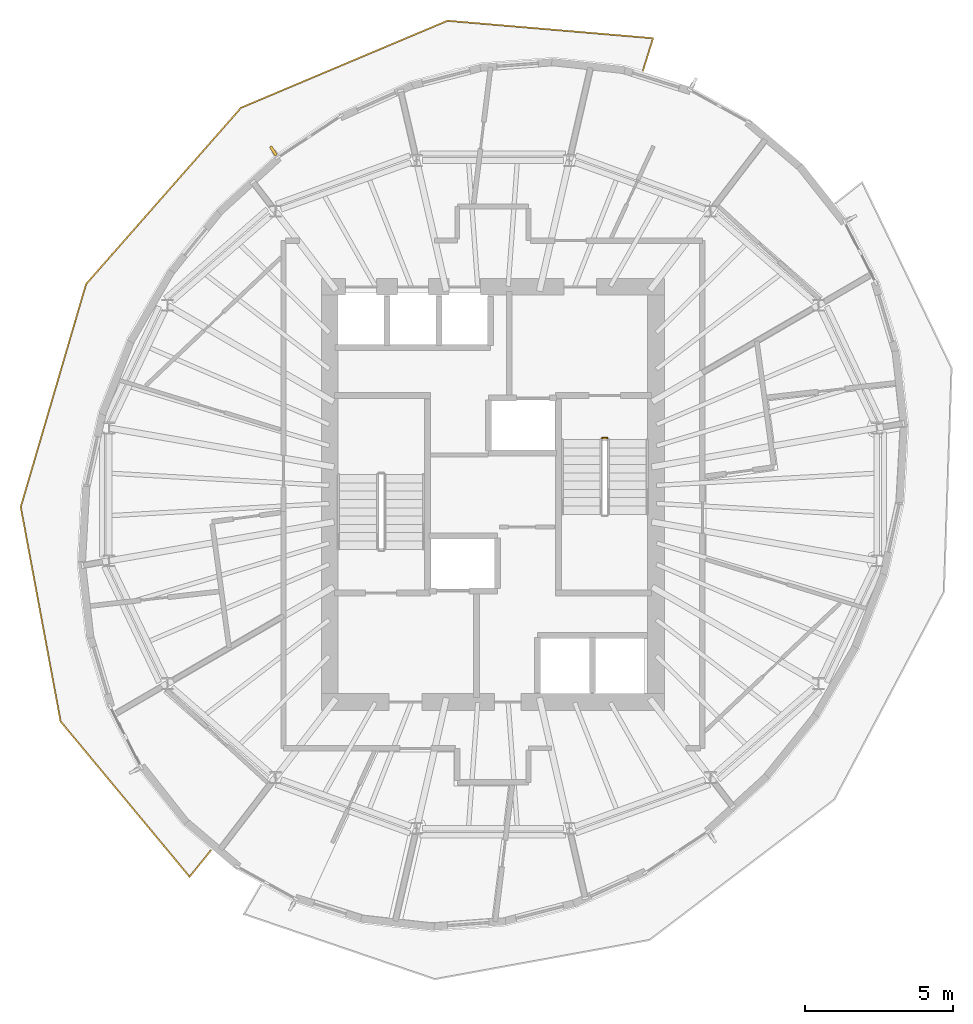
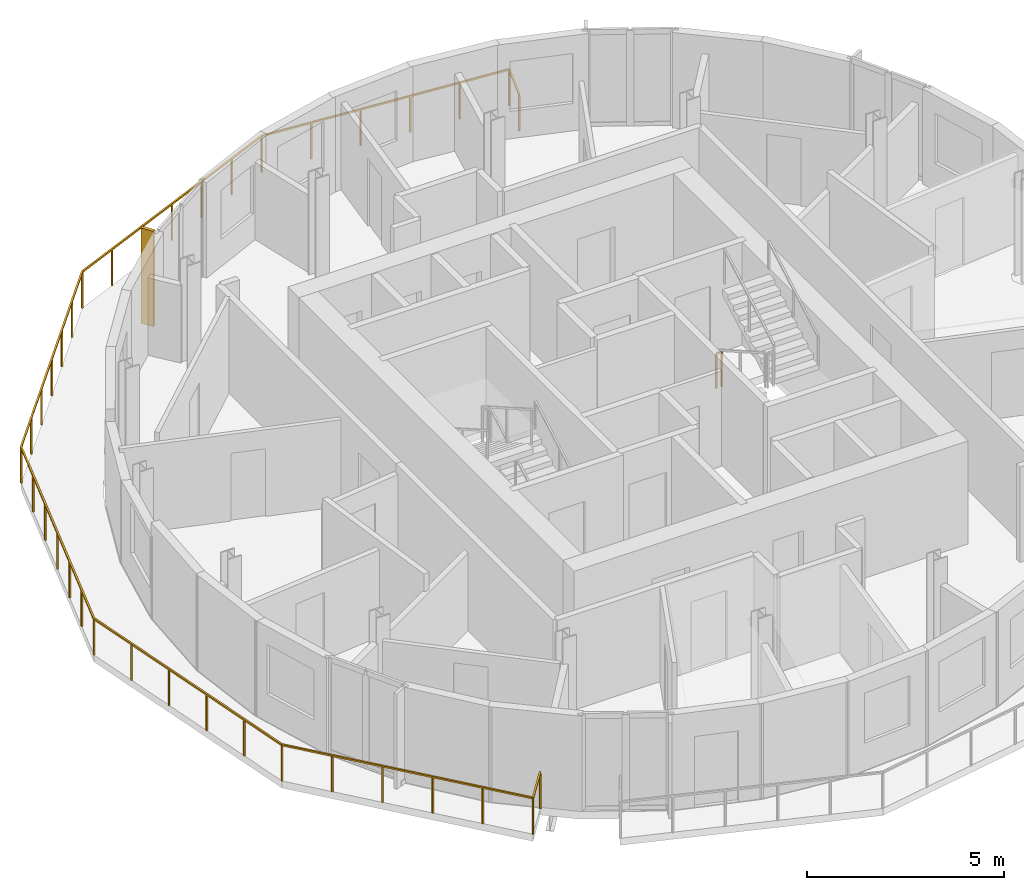
# One storey, part 10 of 11: 2 railings, 1 shading device.
"""IFC4 building model written with IfcOpenShell, lengths in metres."""

from ifc_helpers import new_model, si_unit, direction, frame, origin, origin_2d, place, context, subcontext, project, spatial, rectangle, extrude, material, layer, layer_set, type_object, element, save


model = new_model("IFC4")

# Units and contexts
model_context = context("Model", 3, precision=1e-05, world=origin(), true_north=direction((0.0, 1.0)))
body_context = subcontext(model_context, "Body", "Model", "MODEL_VIEW")
ifc_project = project(units=[si_unit("LENGTHUNIT", "METRE"), si_unit("AREAUNIT", "SQUARE_METRE"), si_unit("VOLUMEUNIT", "CUBIC_METRE"), si_unit("PLANEANGLEUNIT", "RADIAN"), si_unit("MASSUNIT", "GRAM", prefix="KILO")], contexts=[model_context])

# Site, building, storey
site_placement = place(None, origin())
site = spatial("IfcSite", under=ifc_project, at=site_placement, CompositionType="ELEMENT")
building_placement = place(site_placement, origin())
building = spatial("IfcBuilding", under=site, at=building_placement, Name="Veldorim Arch Residences", CompositionType="ELEMENT")
storey_placement = place(building_placement, frame((0.0, 0.0, 227.0400390625)))
storey = spatial("IfcBuildingStorey", under=building, at=storey_placement, Name="L68", CompositionType="ELEMENT", Elevation=227.0400390625)

# Railings
ifc_material_1 = material(Name="Aluminium", Category="aluminium")
railing_type_1 = type_object("IfcRailingType", Name="Balcony & Terrace Laminated Glass Balustrade 1150", PredefinedType="BALUSTRADE", material=ifc_material_1)
railing_1_placement = place(storey_placement, frame((37.05712890625, 38.286865234375, 0.0)))
element("IfcRailing", 1, at=railing_1_placement, inside=storey, type_object=railing_type_1, Name="L68 crescent balcony safety balustrade A", PredefinedType="BALUSTRADE", context=body_context, shape_type="SweptSolid", body=[
    extrude(rectangle(XDim=0.048095703125, YDim=0.048095703125, at=origin_2d()), frame((0.0, 0.0, 1.1259765625), z_axis=(0.298274993136, 0.954479978035, 0.0), x_axis=(-0.954479978035, 0.298274993136, 0.0)), (0.0, 0.0, 1.0), 1.14990234375),
    extrude(rectangle(XDim=0.048095703125, YDim=0.048095703125, at=origin_2d()), frame((0.343017578125, 1.09765625, 1.1259765625), z_axis=(-0.996398511951, 0.084793899432, 0.0), x_axis=(-0.084793899432, -0.996398511951, 0.0)), (0.0, 0.0, 1.0), 6.956298828125),
    extrude(rectangle(XDim=0.048095703125, YDim=0.048095703125, at=origin_2d()), frame((-6.588134765625, 1.6875, 1.1259765625), z_axis=(-0.921610434895, -0.388116227815, 0.0), x_axis=(0.388116227815, -0.921610434895, 0.0)), (0.0, 0.0, 1.0), 7.555419921875),
    extrude(rectangle(XDim=0.048095703125, YDim=0.048095703125, at=origin_2d()), frame((-13.55126953125, -1.244873046875, 1.1259765625), z_axis=(-0.660087723453, -0.751188523173, 0.0), x_axis=(0.751188523173, -0.660087723453, 0.0)), (0.0, 0.0, 1.0), 7.919189453125),
    extrude(rectangle(XDim=0.048095703125, YDim=0.048095703125, at=origin_2d()), frame((-18.778564453125, -7.193603515625, 1.1259765625), z_axis=(-0.281281819309, -0.959625207113, 0.0), x_axis=(0.959625207113, -0.281281819309, 0.0)), (0.0, 0.0, 1.0), 7.83154296875),
    extrude(rectangle(XDim=0.048095703125, YDim=0.048095703125, at=origin_2d()), frame((-20.9814453125, -14.708984375, 1.1259765625), z_axis=(0.18281765772, -0.983146837469, 0.0), x_axis=(0.983146837469, 0.18281765772, 0.0)), (0.0, 0.0, 1.0), 7.35693359375),
    extrude(rectangle(XDim=0.048095703125, YDim=0.048095703125, at=origin_2d()), frame((-19.636474609375, -21.94189453125, 1.1259765625), z_axis=(0.638793821761, -0.769377965164, 0.0), x_axis=(0.769377965164, 0.638793821761, 0.0)), (0.0, 0.0, 1.0), 6.80908203125),
    extrude(rectangle(XDim=0.048095703125, YDim=0.048095703125, at=origin_2d()), frame((-15.286865234375, -27.1806640625, 1.1259765625), z_axis=(0.62877677266, 0.777585860316, 0.0), x_axis=(-0.777585860316, 0.62877677266, 0.0)), (0.0, 0.0, 1.0), 1.150146484375),
    extrude(rectangle(XDim=0.0419921875, YDim=0.0419921875, at=origin_2d()), origin(), (0.0, 0.0, 1.0), 1.101806640625),
    extrude(rectangle(XDim=0.0419921875, YDim=0.0419921875, at=origin_2d()), frame((0.343017578125, 1.09765625, 0.0)), (0.0, 0.0, 1.0), 1.101806640625),
    extrude(rectangle(XDim=0.0419921875, YDim=0.0419921875, at=origin_2d()), frame((-1.043212890625, 1.215576171875, 0.0)), (0.0, 0.0, 1.0), 1.101806640625),
    extrude(rectangle(XDim=0.0419921875, YDim=0.0419921875, at=origin_2d()), frame((-2.429443359375, 1.33349609375, 0.0)), (0.0, 0.0, 1.0), 1.101806640625),
    extrude(rectangle(XDim=0.0419921875, YDim=0.0419921875, at=origin_2d()), frame((-3.815673828125, 1.45166015625, 0.0)), (0.0, 0.0, 1.0), 1.101806640625),
    extrude(rectangle(XDim=0.0419921875, YDim=0.0419921875, at=origin_2d()), frame((-5.201904296875, 1.569580078125, 0.0)), (0.0, 0.0, 1.0), 1.101806640625),
    extrude(rectangle(XDim=0.0419921875, YDim=0.0419921875, at=origin_2d()), frame((-6.588134765625, 1.6875, 0.0)), (0.0, 0.0, 1.0), 1.101806640625),
    extrude(rectangle(XDim=0.0419921875, YDim=0.0419921875, at=origin_2d()), frame((-7.74853515625, 1.19873046875, 0.0)), (0.0, 0.0, 1.0), 1.101806640625),
    extrude(rectangle(XDim=0.0419921875, YDim=0.0419921875, at=origin_2d()), frame((-8.9091796875, 0.7099609375, 0.0)), (0.0, 0.0, 1.0), 1.101806640625),
    extrude(rectangle(XDim=0.0419921875, YDim=0.0419921875, at=origin_2d()), frame((-10.06982421875, 0.22119140625, 0.0)), (0.0, 0.0, 1.0), 1.101806640625),
    extrude(rectangle(XDim=0.0419921875, YDim=0.0419921875, at=origin_2d()), frame((-11.230224609375, -0.267333984375, 0.0)), (0.0, 0.0, 1.0), 1.101806640625),
    extrude(rectangle(XDim=0.0419921875, YDim=0.0419921875, at=origin_2d()), frame((-12.390625, -0.756103515625, 0.0)), (0.0, 0.0, 1.0), 1.101806640625),
    extrude(rectangle(XDim=0.0419921875, YDim=0.0419921875, at=origin_2d()), frame((-13.55126953125, -1.244873046875, 0.0)), (0.0, 0.0, 1.0), 1.101806640625),
    extrude(rectangle(XDim=0.0419921875, YDim=0.0419921875, at=origin_2d()), frame((-14.42236328125, -2.236328125, 0.0)), (0.0, 0.0, 1.0), 1.101806640625),
    extrude(rectangle(XDim=0.0419921875, YDim=0.0419921875, at=origin_2d()), frame((-15.293701171875, -3.227783203125, 0.0)), (0.0, 0.0, 1.0), 1.101806640625),
    extrude(rectangle(XDim=0.0419921875, YDim=0.0419921875, at=origin_2d()), frame((-16.1650390625, -4.21923828125, 0.0)), (0.0, 0.0, 1.0), 1.101806640625),
    extrude(rectangle(XDim=0.0419921875, YDim=0.0419921875, at=origin_2d()), frame((-17.0361328125, -5.210693359375, 0.0)), (0.0, 0.0, 1.0), 1.101806640625),
    extrude(rectangle(XDim=0.0419921875, YDim=0.0419921875, at=origin_2d()), frame((-17.9072265625, -6.2021484375, 0.0)), (0.0, 0.0, 1.0), 1.101806640625),
    extrude(rectangle(XDim=0.0419921875, YDim=0.0419921875, at=origin_2d()), frame((-18.778564453125, -7.193603515625, 0.0)), (0.0, 0.0, 1.0), 1.101806640625),
    extrude(rectangle(XDim=0.0419921875, YDim=0.0419921875, at=origin_2d()), frame((-19.145751953125, -8.4462890625, 0.0)), (0.0, 0.0, 1.0), 1.101806640625),
    extrude(rectangle(XDim=0.0419921875, YDim=0.0419921875, at=origin_2d()), frame((-19.512939453125, -9.69873046875, 0.0)), (0.0, 0.0, 1.0), 1.101806640625),
    extrude(rectangle(XDim=0.0419921875, YDim=0.0419921875, at=origin_2d()), frame((-19.8798828125, -10.951171875, 0.0)), (0.0, 0.0, 1.0), 1.101806640625),
    extrude(rectangle(XDim=0.0419921875, YDim=0.0419921875, at=origin_2d()), frame((-20.2470703125, -12.203857421875, 0.0)), (0.0, 0.0, 1.0), 1.101806640625),
    extrude(rectangle(XDim=0.0419921875, YDim=0.0419921875, at=origin_2d()), frame((-20.6142578125, -13.45654296875, 0.0)), (0.0, 0.0, 1.0), 1.101806640625),
    extrude(rectangle(XDim=0.0419921875, YDim=0.0419921875, at=origin_2d()), frame((-20.9814453125, -14.708984375, 0.0)), (0.0, 0.0, 1.0), 1.101806640625),
    extrude(rectangle(XDim=0.0419921875, YDim=0.0419921875, at=origin_2d()), frame((-20.71240234375, -16.155517578125, 0.0)), (0.0, 0.0, 1.0), 1.101806640625),
    extrude(rectangle(XDim=0.0419921875, YDim=0.0419921875, at=origin_2d()), frame((-20.443359375, -17.60205078125, 0.0)), (0.0, 0.0, 1.0), 1.101806640625),
    extrude(rectangle(XDim=0.0419921875, YDim=0.0419921875, at=origin_2d()), frame((-20.174560546875, -19.048828125, 0.0)), (0.0, 0.0, 1.0), 1.101806640625),
    extrude(rectangle(XDim=0.0419921875, YDim=0.0419921875, at=origin_2d()), frame((-19.905517578125, -20.495361328125, 0.0)), (0.0, 0.0, 1.0), 1.101806640625),
    extrude(rectangle(XDim=0.0419921875, YDim=0.0419921875, at=origin_2d()), frame((-19.636474609375, -21.94189453125, 0.0)), (0.0, 0.0, 1.0), 1.101806640625),
    extrude(rectangle(XDim=0.0419921875, YDim=0.0419921875, at=origin_2d()), frame((-18.7666015625, -22.98974609375, 0.0)), (0.0, 0.0, 1.0), 1.101806640625),
    extrude(rectangle(XDim=0.0419921875, YDim=0.0419921875, at=origin_2d()), frame((-17.896728515625, -24.037353515625, 0.0)), (0.0, 0.0, 1.0), 1.101806640625),
    extrude(rectangle(XDim=0.0419921875, YDim=0.0419921875, at=origin_2d()), frame((-17.026611328125, -25.085205078125, 0.0)), (0.0, 0.0, 1.0), 1.101806640625),
    extrude(rectangle(XDim=0.0419921875, YDim=0.0419921875, at=origin_2d()), frame((-16.15673828125, -26.1328125, 0.0)), (0.0, 0.0, 1.0), 1.101806640625),
    extrude(rectangle(XDim=0.0419921875, YDim=0.0419921875, at=origin_2d()), frame((-15.286865234375, -27.1806640625, 0.0)), (0.0, 0.0, 1.0), 1.101806640625),
    extrude(rectangle(XDim=0.0419921875, YDim=0.0419921875, at=origin_2d()), frame((-14.563720703125, -26.286376953125, 0.0)), (0.0, 0.0, 1.0), 1.101806640625),
])
ifc_material_2 = material(Name="Steel S355", Category="steel")
railing_type_2 = type_object("IfcRailingType", Name="Galvanised Steel Stair Safety Guardrail 1100", PredefinedType="GUARDRAIL", material=ifc_material_2)
railing_2_placement = place(storey_placement, frame((35.68994140625, 25.89990234375, 0.0)))
element("IfcRailing", 2, at=railing_2_placement, inside=storey, type_object=railing_type_2, Name="L68 ST-2 stair guard 4", PredefinedType="GUARDRAIL", context=body_context, shape_type="SweptSolid", body=[
    extrude(rectangle(XDim=0.048095703125, YDim=0.048095703125, at=origin_2d()), frame((0.0, 0.0, 1.076171875), z_axis=(1.0, 0.0, 0.0), x_axis=(0.0, 1.0, 0.0)), (0.0, 0.0, 1.0), 0.16015625),
    extrude(rectangle(XDim=0.0419921875, YDim=0.0419921875, at=origin_2d()), origin(), (0.0, 0.0, 1.0), 1.052001953125),
    extrude(rectangle(XDim=0.0419921875, YDim=0.0419921875, at=origin_2d()), frame((0.16015625, 0.0, 0.0)), (0.0, 0.0, 1.0), 1.052001953125),
])

# Shading device
ifc_material_3 = material(Name="Terracotta Ceramic", Category="masonry")
ifc_layer = layer(ifc_material_3, 0.090087890625, Name="Vertical Extruded Terracotta Baguette Sun-Shading Fin")
ifc_layer_set = layer_set([ifc_layer], Name="Terracotta Ceramic")
shading_device_type = type_object("IfcShadingDeviceType", Name="Vertical Extruded Terracotta Baguette Sun-Shading Fin", PredefinedType="USERDEFINED", material=ifc_layer_set)
shading_device_placement = place(storey_placement, frame((24.59521484375, 35.58837890625, 0.0), z_axis=(0.0, 0.0, 1.0), x_axis=(0.835135979853, 0.550043539327, 0.0)))
element("IfcShadingDevice", 3, at=shading_device_placement, inside=storey, type_object=shading_device_type, Name="L68 vertical terracotta sun-shading fin 07", ObjectType="FIN", PredefinedType="USERDEFINED", context=body_context, shape_type="SweptSolid", body=[
    extrude(rectangle(XDim=0.090087890625, YDim=0.360107421875, at=origin_2d()), origin(), (0.0, 0.0, 1.0), 2.9599609375),
])

save(model, "model.ifc")
